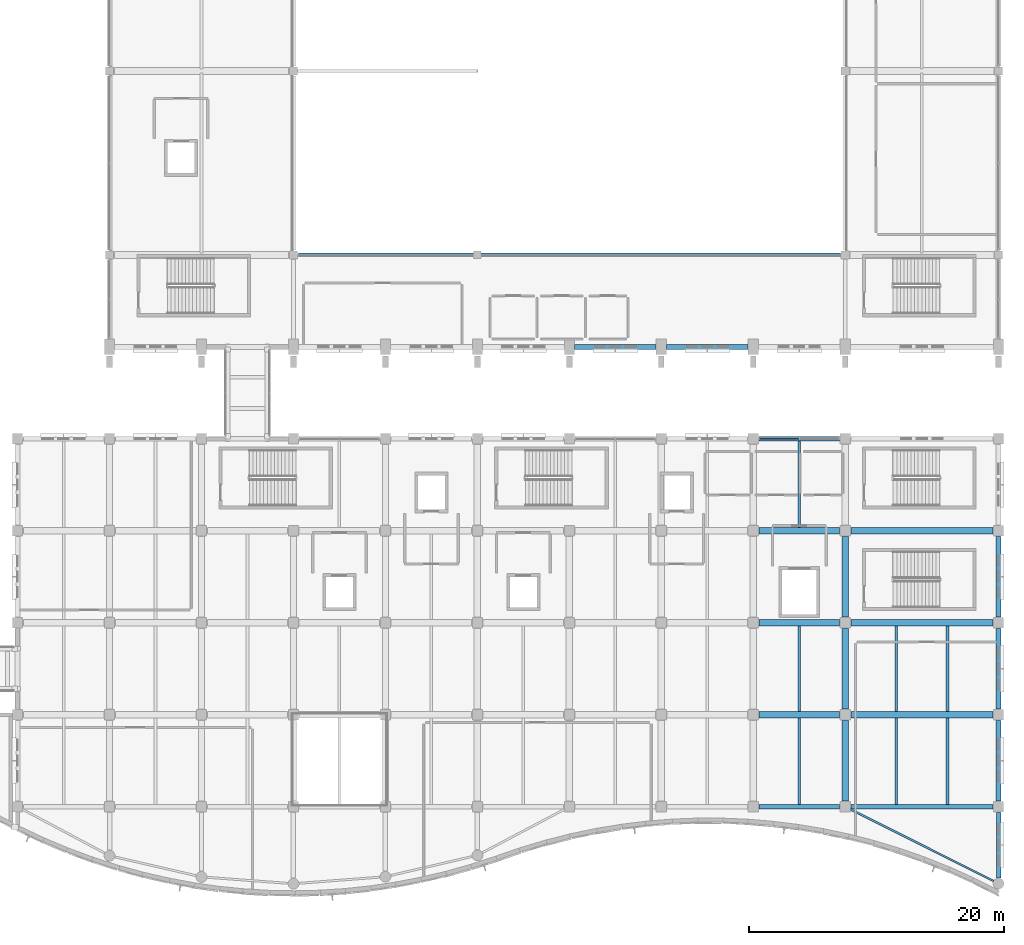
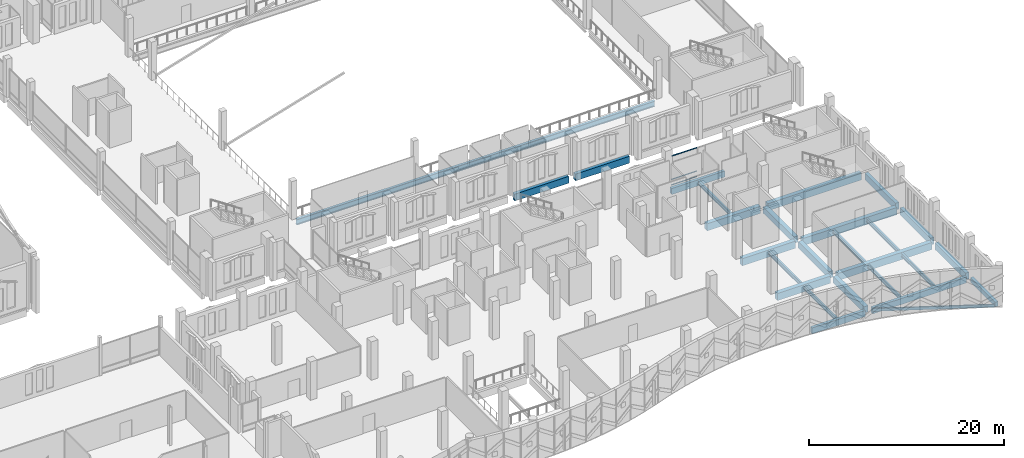
# One storey, part 98 of 220: 27 beams, 3 members, 1 element without a shape of its own.
"""IFC4 building model written with IfcOpenShell, lengths in metres."""

from ifc_helpers import new_model, si_unit, direction, frame, origin, origin_2d, place, context, subcontext, project, spatial, rectangle, hollow_rectangle, i_section, extrude, material, material_profile, profile_set, type_object, element, aggregate, save


model = new_model("IFC4")

# Units and contexts
model_context = context("Model", 3, precision=1e-05, world=origin(), true_north=direction((0.0, 1.0)))
body_context = subcontext(model_context, "Body", "Model", "MODEL_VIEW")
ifc_project = project(units=[si_unit("LENGTHUNIT", "METRE"), si_unit("AREAUNIT", "SQUARE_METRE"), si_unit("VOLUMEUNIT", "CUBIC_METRE"), si_unit("PLANEANGLEUNIT", "RADIAN"), si_unit("MASSUNIT", "GRAM", prefix="KILO")], contexts=[model_context])

# Site, building, storey
site_placement = place(None, origin())
site = spatial("IfcSite", under=ifc_project, at=site_placement, CompositionType="ELEMENT")
building_placement = place(site_placement, origin())
building = spatial("IfcBuilding", under=site, at=building_placement, Name="Cendralis Lancet Convention Centre", CompositionType="ELEMENT")
storey_placement = place(building_placement, frame((0.0, 0.0, 5.39990234375)))
storey = spatial("IfcBuildingStorey", under=building, at=storey_placement, Name="L01", CompositionType="ELEMENT", Elevation=5.39990234375)

# Curtain wall, members
ifc_material_1 = material(Name="Anodised bronze architectural aluminium", Category="aluminium")
curtain_wall_type = type_object("IfcCurtainWallType", Name="ARC-CW-CL02", PredefinedType="USERDEFINED", material=ifc_material_1)
curtain_wall_placement = place(storey_placement, origin())
curtain_wall = element("IfcCurtainWall", 1, at=curtain_wall_placement, inside=storey, type_object=curtain_wall_type, Name="L01 Curtain Wall CW-CL2 #184", ObjectType="CURTAIN WALL", PredefinedType="USERDEFINED")
ifc_material_profile_1 = material_profile(ifc_material_1, hollow_rectangle(XDim=0.06005859375, YDim=0.1201171875, WallThickness=0.00390625, at=origin_2d()), Name="AL-TRAN 60x120x4.0")
ifc_profile_set_1 = profile_set([ifc_material_profile_1], Name="Anodised bronze architectural aluminium")
member_type = type_object("IfcMemberType", Name="ARC-CW-TR01", PredefinedType="USERDEFINED", material=ifc_profile_set_1)
member_1_placement = place(storey_placement, frame((190.110107421875, 36.0, 0.06005859375), z_axis=(1.0, 0.0, 0.0), x_axis=(0.0, 1.0, 0.0)))
member_1 = element("IfcMember", 2, at=member_1_placement, type_object=member_type, Name="Transom CW2-CW-CL2-L01-184-T0BOT", ObjectType="TRANSOM", PredefinedType="USERDEFINED", context=body_context, shape_type="SweptSolid", body=[
    extrude(hollow_rectangle(XDim=0.06005859375, YDim=0.1201171875, WallThickness=0.00390625, at=origin_2d()), origin(), (0.0, 0.0, 1.0), 3.02978515625),
])
member_2_placement = place(storey_placement, frame((190.110107421875, 36.0, 0.75), z_axis=(1.0, 0.0, 0.0), x_axis=(0.0, 1.0, 0.0)))
member_2 = element("IfcMember", 3, at=member_2_placement, type_object=member_type, Name="Transom CW2-CW-CL2-L01-184-T0MID", ObjectType="TRANSOM", PredefinedType="USERDEFINED", context=body_context, shape_type="SweptSolid", body=[
    extrude(hollow_rectangle(XDim=0.06005859375, YDim=0.1201171875, WallThickness=0.00390625, at=origin_2d()), origin(), (0.0, 0.0, 1.0), 3.02978515625),
])
member_3_placement = place(storey_placement, frame((190.110107421875, 36.0, 3.675048828125), z_axis=(1.0, 0.0, 0.0), x_axis=(0.0, 1.0, 0.0)))
member_3 = element("IfcMember", 4, at=member_3_placement, type_object=member_type, Name="Transom CW2-CW-CL2-L01-184-T0TOP", ObjectType="TRANSOM", PredefinedType="USERDEFINED", context=body_context, shape_type="SweptSolid", body=[
    extrude(hollow_rectangle(XDim=0.06005859375, YDim=0.1201171875, WallThickness=0.00390625, at=origin_2d()), origin(), (0.0, 0.0, 1.0), 3.02978515625),
])
aggregate(curtain_wall, [member_1, member_2, member_3])

# Beams
ifc_material_2 = material(Name="Concrete G35 (C35/45)", Category="concrete")
ifc_material_profile_2 = material_profile(ifc_material_2, rectangle(XDim=0.5, YDim=0.89990234375, at=origin_2d()), Name="RCB 500x900")
ifc_profile_set_2 = profile_set([ifc_material_profile_2], Name="Concrete G35 (C35/45)")
beam_type_1 = type_object("IfcBeamType", Name="STR-BM-BG07", PredefinedType="BEAM", material=ifc_profile_set_2)
beam_1_placement = place(storey_placement, frame((190.050048828125, 14.39990234375, -0.72998046875), z_axis=(1.0, 0.0, 0.0), x_axis=(0.0, 1.0, 0.0)))
element("IfcBeam", 5, at=beam_1_placement, inside=storey, type_object=beam_type_1, Name="L01 Beam BG07 #0145", PredefinedType="BEAM", context=body_context, shape_type="SweptSolid", body=[
    extrude(rectangle(XDim=0.5, YDim=0.89990234375, at=origin_2d()), origin(), (0.0, 0.0, 1.0), 6.300048828125),
])
beam_2_placement = place(storey_placement, frame((197.25, 14.39990234375, -0.72998046875), z_axis=(1.0, 0.0, 0.0), x_axis=(0.0, 1.0, 0.0)))
element("IfcBeam", 6, at=beam_2_placement, inside=storey, type_object=beam_type_1, Name="L01 Beam BG07 #0146", PredefinedType="BEAM", context=body_context, shape_type="SweptSolid", body=[
    extrude(rectangle(XDim=0.5, YDim=0.89990234375, at=origin_2d()), origin(), (0.0, 0.0, 1.0), 11.10009765625),
])
beam_3_placement = place(storey_placement, frame((190.050048828125, 21.60009765625, -0.72998046875), z_axis=(1.0, 0.0, 0.0), x_axis=(0.0, 1.0, 0.0)))
element("IfcBeam", 7, at=beam_3_placement, inside=storey, type_object=beam_type_1, Name="L01 Beam BG07 #0155", PredefinedType="BEAM", context=body_context, shape_type="SweptSolid", body=[
    extrude(rectangle(XDim=0.5, YDim=0.89990234375, at=origin_2d()), origin(), (0.0, 0.0, 1.0), 6.300048828125),
])
beam_4_placement = place(storey_placement, frame((197.25, 21.60009765625, -0.72998046875), z_axis=(1.0, 0.0, 0.0), x_axis=(0.0, 1.0, 0.0)))
element("IfcBeam", 8, at=beam_4_placement, inside=storey, type_object=beam_type_1, Name="L01 Beam BG07 #0156", PredefinedType="BEAM", context=body_context, shape_type="SweptSolid", body=[
    extrude(rectangle(XDim=0.5, YDim=0.89990234375, at=origin_2d()), origin(), (0.0, 0.0, 1.0), 11.10009765625),
])
beam_5_placement = place(storey_placement, frame((190.050048828125, 28.800048828125, -0.72998046875), z_axis=(1.0, 0.0, 0.0), x_axis=(0.0, 1.0, 0.0)))
element("IfcBeam", 9, at=beam_5_placement, inside=storey, type_object=beam_type_1, Name="L01 Beam BG07 #0165", PredefinedType="BEAM", context=body_context, shape_type="SweptSolid", body=[
    extrude(rectangle(XDim=0.5, YDim=0.89990234375, at=origin_2d()), origin(), (0.0, 0.0, 1.0), 6.300048828125),
])
beam_6_placement = place(storey_placement, frame((197.25, 28.800048828125, -0.72998046875), z_axis=(1.0, 0.0, 0.0), x_axis=(0.0, 1.0, 0.0)))
element("IfcBeam", 10, at=beam_6_placement, inside=storey, type_object=beam_type_1, Name="L01 Beam BG07 #0166", PredefinedType="BEAM", context=body_context, shape_type="SweptSolid", body=[
    extrude(rectangle(XDim=0.5, YDim=0.89990234375, at=origin_2d()), origin(), (0.0, 0.0, 1.0), 11.10009765625),
])
ifc_material_profile_3 = material_profile(ifc_material_2, rectangle(XDim=0.5, YDim=0.800048828125, at=origin_2d()), Name="RCB 500x800")
ifc_profile_set_3 = profile_set([ifc_material_profile_3], Name="Concrete G35 (C35/45)")
beam_type_2 = type_object("IfcBeamType", Name="STR-BM-BG09", PredefinedType="BEAM", material=ifc_profile_set_3)
beam_7_placement = place(storey_placement, frame((196.800048828125, 7.64990234375, -0.679931640625), z_axis=(0.0, 1.0, 0.0), x_axis=(-1.0, 0.0, 0.0)))
element("IfcBeam", 11, at=beam_7_placement, inside=storey, type_object=beam_type_2, Name="L01 Beam BG09 #0211", PredefinedType="BEAM", context=body_context, shape_type="SweptSolid", body=[
    extrude(rectangle(XDim=0.5, YDim=0.800048828125, at=origin_2d()), origin(), (0.0, 0.0, 1.0), 6.300048828125),
])
beam_8_placement = place(storey_placement, frame((196.800048828125, 14.85009765625, -0.679931640625), z_axis=(0.0, 1.0, 0.0), x_axis=(-1.0, 0.0, 0.0)))
element("IfcBeam", 12, at=beam_8_placement, inside=storey, type_object=beam_type_2, Name="L01 Beam BG09 #0212", PredefinedType="BEAM", context=body_context, shape_type="SweptSolid", body=[
    extrude(rectangle(XDim=0.5, YDim=0.800048828125, at=origin_2d()), origin(), (0.0, 0.0, 1.0), 6.2998046875),
])
beam_9_placement = place(storey_placement, frame((196.800048828125, 22.050048828125, -0.679931640625), z_axis=(0.0, 1.0, 0.0), x_axis=(-1.0, 0.0, 0.0)))
element("IfcBeam", 13, at=beam_9_placement, inside=storey, type_object=beam_type_2, Name="L01 Beam BG09 #0213", PredefinedType="BEAM", context=body_context, shape_type="SweptSolid", body=[
    extrude(rectangle(XDim=0.5, YDim=0.800048828125, at=origin_2d()), origin(), (0.0, 0.0, 1.0), 6.300048828125),
])
ifc_material_profile_4 = material_profile(ifc_material_2, rectangle(XDim=0.35009765625, YDim=0.60009765625, at=origin_2d()), Name="RCB 350x600")
ifc_profile_set_4 = profile_set([ifc_material_profile_4], Name="Concrete G35 (C35/45)")
beam_type_3 = type_object("IfcBeamType", Name="STR-BM-BG16", PredefinedType="BEAM", material=ifc_profile_set_4)
beam_10_placement = place(storey_placement, frame((208.800048828125, 1.6337890625, -0.579833984375), z_axis=(0.0, 1.0, 0.0), x_axis=(-1.0, 0.0, 0.0)))
element("IfcBeam", 14, at=beam_10_placement, inside=storey, type_object=beam_type_3, Name="L01 Beam BG16 #1058", PredefinedType="BEAM", context=body_context, shape_type="SweptSolid", body=[
    extrude(rectangle(XDim=0.35009765625, YDim=0.60009765625, at=origin_2d()), origin(), (0.0, 0.0, 1.0), 5.1162109375),
])
ifc_material_3 = material(Name="Steel S355", Category="steel")
ifc_material_profile_5 = material_profile(ifc_material_3, i_section(OverallWidth=0.300048828125, OverallDepth=0.699951171875, WebThickness=0.01708984375, FlangeThickness=0.031982421875, FilletRadius=0.027099609375, at=origin_2d()), Name="HEB 700")
ifc_profile_set_5 = profile_set([ifc_material_profile_5], Name="Steel S355")
beam_type_4 = type_object("IfcBeamType", Name="STR-BM-SG07", PredefinedType="BEAM", material=ifc_profile_set_5)
beam_11_placement = place(storey_placement, frame((153.97509765625, 50.39990234375, -0.6298828125), z_axis=(1.0, 0.0, 0.0), x_axis=(0.0, 1.0, 0.0)))
element("IfcBeam", 15, at=beam_11_placement, inside=storey, type_object=beam_type_4, Name="L01 Beam SG07 #1413", PredefinedType="BEAM", context=body_context, shape_type="SweptSolid", body=[
    extrude(i_section(OverallWidth=0.300048828125, OverallDepth=0.699951171875, WebThickness=0.01708984375, FlangeThickness=0.031982421875, FilletRadius=0.027099609375, at=origin_2d()), origin(), (0.0, 0.0, 1.0), 42.449951171875),
])
ifc_material_profile_6 = material_profile(ifc_material_3, i_section(OverallWidth=0.199951171875, OverallDepth=0.5, WebThickness=0.01025390625, FlangeThickness=0.01611328125, FilletRadius=0.02099609375, at=origin_2d()), Name="IPE 500")
ifc_profile_set_6 = profile_set([ifc_material_profile_6], Name="Steel S355")
beam_type_5 = type_object("IfcBeamType", Name="STR-JS-BJ06", PredefinedType="JOIST", material=ifc_profile_set_6)
beam_12_placement = place(storey_placement, frame((193.199951171875, 7.375, -0.52978515625), z_axis=(0.0, 1.0, 0.0), x_axis=(-1.0, 0.0, 0.0)))
element("IfcBeam", 16, at=beam_12_placement, inside=storey, type_object=beam_type_5, Name="L01 Beam BJ06 #0246", PredefinedType="JOIST", context=body_context, shape_type="SweptSolid", body=[
    extrude(i_section(OverallWidth=0.199951171875, OverallDepth=0.5, WebThickness=0.01025390625, FlangeThickness=0.01611328125, FilletRadius=0.02099609375, at=origin_2d()), origin(), (0.0, 0.0, 1.0), 6.77490234375),
])
beam_13_placement = place(storey_placement, frame((193.199951171875, 14.64990234375, -0.52978515625), z_axis=(0.0, 1.0, 0.0), x_axis=(-1.0, 0.0, 0.0)))
element("IfcBeam", 17, at=beam_13_placement, inside=storey, type_object=beam_type_5, Name="L01 Beam BJ06 #0247", PredefinedType="JOIST", context=body_context, shape_type="SweptSolid", body=[
    extrude(i_section(OverallWidth=0.199951171875, OverallDepth=0.5, WebThickness=0.01025390625, FlangeThickness=0.01611328125, FilletRadius=0.02099609375, at=origin_2d()), origin(), (0.0, 0.0, 1.0), 6.7001953125),
])
for number, where, z_axis, x_axis, name in (
    (18, (193.199951171875, 29.050048828125, -0.52978515625), (0.0, 1.0, 0.0), (-1.0, 0.0, 0.0), "L01 Beam BJ06 #0248"),
    (19, (200.800048828125, 7.375, -0.52978515625), (0.0, 1.0, 0.0), (-1.0, 0.0, 0.0), "L01 Beam BJ06 #0249"),
):
    element("IfcBeam", number, at=place(storey_placement, frame(where, z_axis=z_axis, x_axis=x_axis)), inside=storey, type_object=beam_type_5, Name=name, PredefinedType="JOIST", context=body_context, shape_type="SweptSolid", body=[
        extrude(i_section(OverallWidth=0.199951171875, OverallDepth=0.5, WebThickness=0.01025390625, FlangeThickness=0.01611328125, FilletRadius=0.02099609375, at=origin_2d()), origin(), (0.0, 0.0, 1.0), 6.77490234375),
    ])
beam_14_placement = place(storey_placement, frame((200.800048828125, 14.64990234375, -0.52978515625), z_axis=(0.0, 1.0, 0.0), x_axis=(-1.0, 0.0, 0.0)))
element("IfcBeam", 20, at=beam_14_placement, inside=storey, type_object=beam_type_5, Name="L01 Beam BJ06 #0250", PredefinedType="JOIST", context=body_context, shape_type="SweptSolid", body=[
    extrude(i_section(OverallWidth=0.199951171875, OverallDepth=0.5, WebThickness=0.01025390625, FlangeThickness=0.01611328125, FilletRadius=0.02099609375, at=origin_2d()), origin(), (0.0, 0.0, 1.0), 6.7001953125),
])
beam_15_placement = place(storey_placement, frame((204.800048828125, 7.375, -0.52978515625), z_axis=(0.0, 1.0, 0.0), x_axis=(-1.0, 0.0, 0.0)))
element("IfcBeam", 21, at=beam_15_placement, inside=storey, type_object=beam_type_5, Name="L01 Beam BJ06 #0251", PredefinedType="JOIST", context=body_context, shape_type="SweptSolid", body=[
    extrude(i_section(OverallWidth=0.199951171875, OverallDepth=0.5, WebThickness=0.01025390625, FlangeThickness=0.01611328125, FilletRadius=0.02099609375, at=origin_2d()), origin(), (0.0, 0.0, 1.0), 6.77490234375),
])
beam_16_placement = place(storey_placement, frame((204.800048828125, 14.64990234375, -0.52978515625), z_axis=(0.0, 1.0, 0.0), x_axis=(-1.0, 0.0, 0.0)))
element("IfcBeam", 22, at=beam_16_placement, inside=storey, type_object=beam_type_5, Name="L01 Beam BJ06 #0252", PredefinedType="JOIST", context=body_context, shape_type="SweptSolid", body=[
    extrude(i_section(OverallWidth=0.199951171875, OverallDepth=0.5, WebThickness=0.01025390625, FlangeThickness=0.01611328125, FilletRadius=0.02099609375, at=origin_2d()), origin(), (0.0, 0.0, 1.0), 6.7001953125),
])
ifc_material_4 = material(Name="Concrete G40 (C40/50)", Category="concrete")
ifc_material_profile_7 = material_profile(ifc_material_4, rectangle(XDim=0.35009765625, YDim=0.75, at=origin_2d()), Name="RCB 350x750")
ifc_profile_set_7 = profile_set([ifc_material_profile_7], Name="Concrete G40 (C40/50)")
beam_type_6 = type_object("IfcBeamType", Name="STR-SP-SP01", PredefinedType="SPANDREL", material=ifc_profile_set_7)
beam_17_placement = place(storey_placement, frame((190.050048828125, 7.199951171875, -0.65478515625), z_axis=(1.0, 0.0, 0.0), x_axis=(0.0, 1.0, 0.0)))
element("IfcBeam", 23, at=beam_17_placement, inside=storey, type_object=beam_type_6, Name="L01 Beam SP01 #0135", PredefinedType="SPANDREL", context=body_context, shape_type="SweptSolid", body=[
    extrude(rectangle(XDim=0.35009765625, YDim=0.75, at=origin_2d()), origin(), (0.0, 0.0, 1.0), 6.300048828125),
])
beam_18_placement = place(storey_placement, frame((197.25, 7.199951171875, -0.65478515625), z_axis=(1.0, 0.0, 0.0), x_axis=(0.0, 1.0, 0.0)))
element("IfcBeam", 24, at=beam_18_placement, inside=storey, type_object=beam_type_6, Name="L01 Beam SP01 #0136", PredefinedType="SPANDREL", context=body_context, shape_type="SweptSolid", body=[
    extrude(rectangle(XDim=0.35009765625, YDim=0.75, at=origin_2d()), origin(), (0.0, 0.0, 1.0), 11.10009765625),
])
beam_19_placement = place(storey_placement, frame((190.050048828125, 36.0, -0.65478515625), z_axis=(1.0, 0.0, 0.0), x_axis=(0.0, 1.0, 0.0)))
element("IfcBeam", 25, at=beam_19_placement, inside=storey, type_object=beam_type_6, Name="L01 Beam SP01 #0175", PredefinedType="SPANDREL", context=body_context, shape_type="SweptSolid", body=[
    extrude(rectangle(XDim=0.35009765625, YDim=0.75, at=origin_2d()), origin(), (0.0, 0.0, 1.0), 6.300048828125),
])
ifc_material_profile_8 = material_profile(ifc_material_4, rectangle(XDim=0.39990234375, YDim=0.85009765625, at=origin_2d()), Name="RCB 400x850")
ifc_profile_set_8 = profile_set([ifc_material_profile_8], Name="Concrete G40 (C40/50)")
beam_type_7 = type_object("IfcBeamType", Name="STR-SP-SP02", PredefinedType="SPANDREL", material=ifc_profile_set_8)
beam_20_placement = place(storey_placement, frame((208.800048828125, 7.64990234375, -0.704833984375), z_axis=(0.0, 1.0, 0.0), x_axis=(-1.0, 0.0, 0.0)))
element("IfcBeam", 26, at=beam_20_placement, inside=storey, type_object=beam_type_7, Name="L01 Beam SP02 #0215", PredefinedType="SPANDREL", context=body_context, shape_type="SweptSolid", body=[
    extrude(rectangle(XDim=0.39990234375, YDim=0.85009765625, at=origin_2d()), origin(), (0.0, 0.0, 1.0), 6.300048828125),
])
beam_21_placement = place(storey_placement, frame((208.800048828125, 14.85009765625, -0.704833984375), z_axis=(0.0, 1.0, 0.0), x_axis=(-1.0, 0.0, 0.0)))
element("IfcBeam", 27, at=beam_21_placement, inside=storey, type_object=beam_type_7, Name="L01 Beam SP02 #0216", PredefinedType="SPANDREL", context=body_context, shape_type="SweptSolid", body=[
    extrude(rectangle(XDim=0.39990234375, YDim=0.85009765625, at=origin_2d()), origin(), (0.0, 0.0, 1.0), 6.2998046875),
])
beam_22_placement = place(storey_placement, frame((208.800048828125, 22.050048828125, -0.704833984375), z_axis=(0.0, 1.0, 0.0), x_axis=(-1.0, 0.0, 0.0)))
element("IfcBeam", 28, at=beam_22_placement, inside=storey, type_object=beam_type_7, Name="L01 Beam SP02 #0217", PredefinedType="SPANDREL", context=body_context, shape_type="SweptSolid", body=[
    extrude(rectangle(XDim=0.39990234375, YDim=0.85009765625, at=origin_2d()), origin(), (0.0, 0.0, 1.0), 6.300048828125),
])
for number, where, z_axis, x_axis, name in (
    (29, (175.60009765625, 43.199951171875, -0.704833984375), (1.0, 0.0, 0.0), (0.0, 1.0, 0.0), "L01 Beam SP02 #1399"),
    (30, (182.800048828125, 43.199951171875, -0.704833984375), (1.0, 0.0, 0.0), (0.0, 1.0, 0.0), "L01 Beam SP02 #1400"),
):
    element("IfcBeam", number, at=place(storey_placement, frame(where, z_axis=z_axis, x_axis=x_axis)), inside=storey, type_object=beam_type_7, Name=name, PredefinedType="SPANDREL", context=body_context, shape_type="SweptSolid", body=[
        extrude(rectangle(XDim=0.39990234375, YDim=0.85009765625, at=origin_2d()), origin(), (0.0, 0.0, 1.0), 6.39990234375),
    ])
ifc_material_profile_9 = material_profile(ifc_material_3, hollow_rectangle(XDim=0.14990234375, YDim=0.35009765625, WallThickness=0.012451171875, at=origin_2d()), Name="RHS 350x150x12.5")
ifc_profile_set_9 = profile_set([ifc_material_profile_9], Name="Steel S355")
beam_type_8 = type_object("IfcBeamType", Name="STR-SP-SP04", PredefinedType="SPANDREL", material=ifc_profile_set_9)
beam_23_placement = place(storey_placement, frame((197.202392578125, 6.998291015625, -0.454833984375), z_axis=(0.893943202899, -0.448180265061, 0.0), x_axis=(0.448180265061, 0.893943202899, 0.0)))
element("IfcBeam", 31, at=beam_23_placement, inside=storey, type_object=beam_type_8, Name="L01 Beam SP04 #1073", PredefinedType="SPANDREL", context=body_context, shape_type="SweptSolid", body=[
    extrude(hollow_rectangle(XDim=0.14990234375, YDim=0.35009765625, WallThickness=0.012451171875, at=origin_2d()), origin(), (0.0, 0.0, 1.0), 12.5234375),
])

save(model, "model.ifc")
